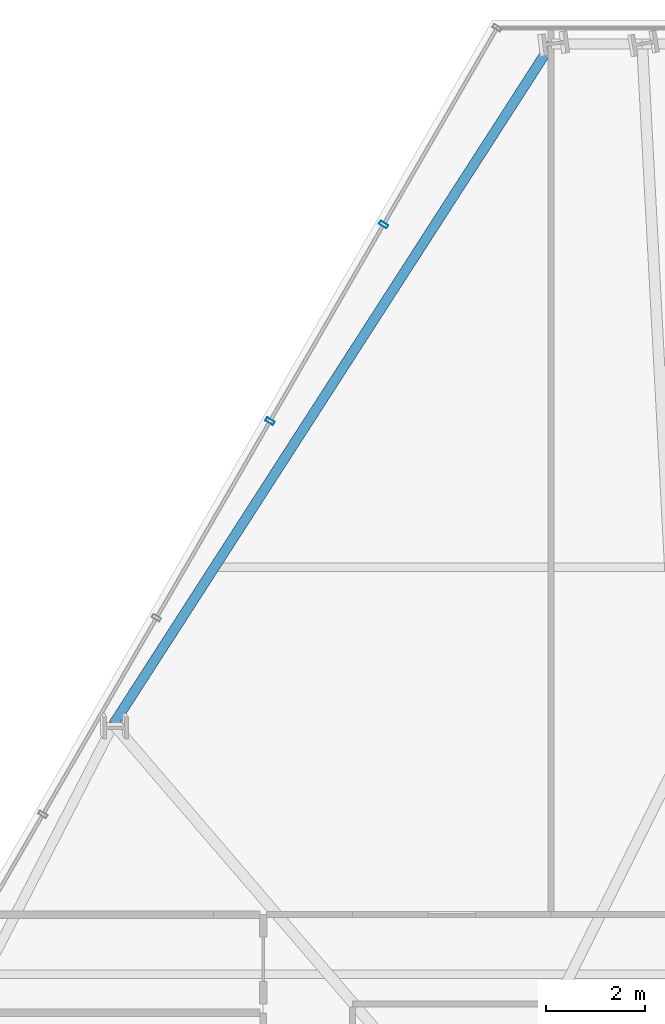
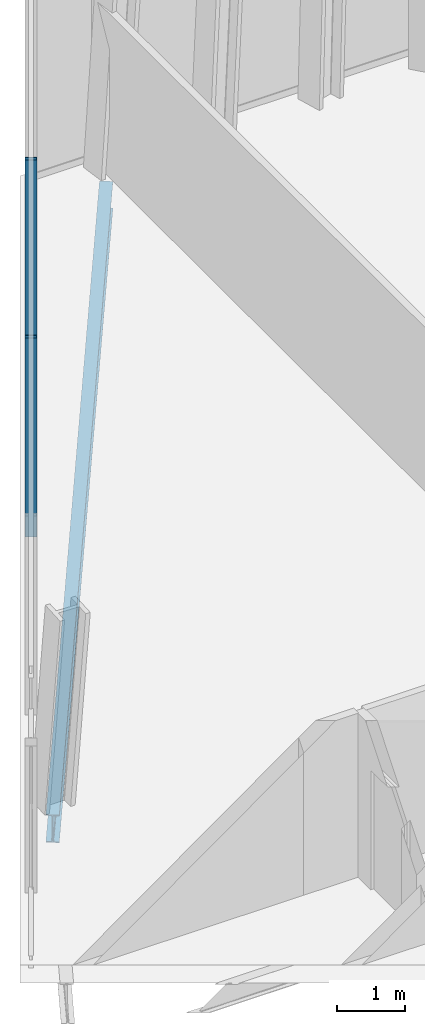
# One storey, part 22 of 32: 2 members, 1 beam, 1 element without a shape of its own.
"""IFC4 building model written with IfcOpenShell, lengths in metres."""

from ifc_helpers import new_model, si_unit, direction, frame, origin, origin_2d, place, context, subcontext, project, spatial, hollow_rectangle, i_section, extrude, material, layer, layer_set, material_profile, profile_set, type_object, element, aggregate, save


model = new_model("IFC4")

# Units and contexts
model_context = context("Model", 3, precision=1e-05, world=origin(), true_north=direction((0.0, 1.0)))
body_context = subcontext(model_context, "Body", "Model", "MODEL_VIEW")
ifc_project = project(units=[si_unit("LENGTHUNIT", "METRE"), si_unit("AREAUNIT", "SQUARE_METRE"), si_unit("VOLUMEUNIT", "CUBIC_METRE"), si_unit("PLANEANGLEUNIT", "RADIAN"), si_unit("MASSUNIT", "GRAM", prefix="KILO")], contexts=[model_context])

# Site, building, storey
site_placement = place(None, origin())
site = spatial("IfcSite", under=ifc_project, at=site_placement, CompositionType="ELEMENT")
building_placement = place(site_placement, origin())
building = spatial("IfcBuilding", under=site, at=building_placement, Name="Ndaravel Arena Tower", CompositionType="ELEMENT")
storey_placement = place(building_placement, frame((0.0, 0.0, 77.800048828125)))
storey = spatial("IfcBuildingStorey", under=building, at=storey_placement, Name="L17", CompositionType="ELEMENT", Elevation=77.800048828125)

# Beam
ifc_material_1 = material(Name="Steel S355", Category="steel")
ifc_material_profile_1 = material_profile(ifc_material_1, i_section(OverallWidth=0.199951171875, OverallDepth=0.5, WebThickness=0.01025390625, FlangeThickness=0.01611328125, FilletRadius=0.02099609375, at=origin_2d()), Name="IPE 500")
ifc_profile_set_1 = profile_set([ifc_material_profile_1], Name="Steel S355")
beam_type = type_object("IfcBeamType", Name="BM-SPAN-IPE500", PredefinedType="SPANDREL", material=ifc_profile_set_1)
beam_placement = place(storey_placement, frame((35.61083984375, 45.545654296875, -0.469970703125), z_axis=(-0.541382511268, -0.840776412903, 0.0), x_axis=(0.840776412903, -0.541382511268, 0.0)))
element("IfcBeam", 1, at=beam_placement, inside=storey, type_object=beam_type, Name="L17 Perimeter Spandrel Beam SP-18", PredefinedType="SPANDREL", context=body_context, shape_type="SweptSolid", body=[
    extrude(i_section(OverallWidth=0.199951171875, OverallDepth=0.5, WebThickness=0.01025390625, FlangeThickness=0.01611328125, FilletRadius=0.02099609375, at=origin_2d()), origin(), (0.0, 0.0, 1.0), 16.3056640625),
])

# Curtain wall, members
ifc_material_2 = material(Name="Aluminium", Category="aluminium")
ifc_layer = layer(ifc_material_2, 0.179931640625)
ifc_layer_set = layer_set([ifc_layer], Name="Aluminium")
curtain_wall_type = type_object("IfcCurtainWallType", Name="CW-SYS-03", PredefinedType="NOTDEFINED", material=ifc_layer_set)
curtain_wall_placement = place(storey_placement, origin())
curtain_wall = element("IfcCurtainWall", 2, at=curtain_wall_placement, inside=storey, type_object=curtain_wall_type, Name="L17 Faceted Crystal Curtain Wall CW-L17-E05", PredefinedType="NOTDEFINED")
ifc_material_3 = material(Name="Aluminium", Category="aluminium")
ifc_material_profile_2 = material_profile(ifc_material_3, hollow_rectangle(XDim=0.074951171875, YDim=0.179931640625, WallThickness=0.00390625, at=origin_2d()), Name="CW MULLION 75x180x4")
ifc_profile_set_2 = profile_set([ifc_material_profile_2], Name="Aluminium")
member_type = type_object("IfcMemberType", Name="MEM-CW-MUL180", PredefinedType="MULLION", material=ifc_profile_set_2)
member_1_placement = place(storey_placement, frame((32.2255859375, 41.903076171875, 0.0), z_axis=(0.0, 0.0, 1.0), x_axis=(-0.5, -0.866025403784, 0.0)))
member_1 = element("IfcMember", 3, at=member_1_placement, type_object=member_type, Name="CW-L17-E05 Mullion 01", PredefinedType="MULLION", context=body_context, shape_type="SweptSolid", body=[
    extrude(hollow_rectangle(XDim=0.074951171875, YDim=0.179931640625, WallThickness=0.00390625, at=origin_2d()), origin(), (0.0, 0.0, 1.0), 3.579833984375),
])
member_2_placement = place(storey_placement, frame((29.937744140625, 37.940185546875, 0.0), z_axis=(0.0, 0.0, 1.0), x_axis=(-0.5, -0.866025403784, 0.0)))
member_2 = element("IfcMember", 4, at=member_2_placement, type_object=member_type, Name="CW-L17-E05 Mullion 02", PredefinedType="MULLION", context=body_context, shape_type="SweptSolid", body=[
    extrude(hollow_rectangle(XDim=0.074951171875, YDim=0.179931640625, WallThickness=0.00390625, at=origin_2d()), origin(), (0.0, 0.0, 1.0), 3.579833984375),
])
aggregate(curtain_wall, [member_1, member_2])

save(model, "model.ifc")
